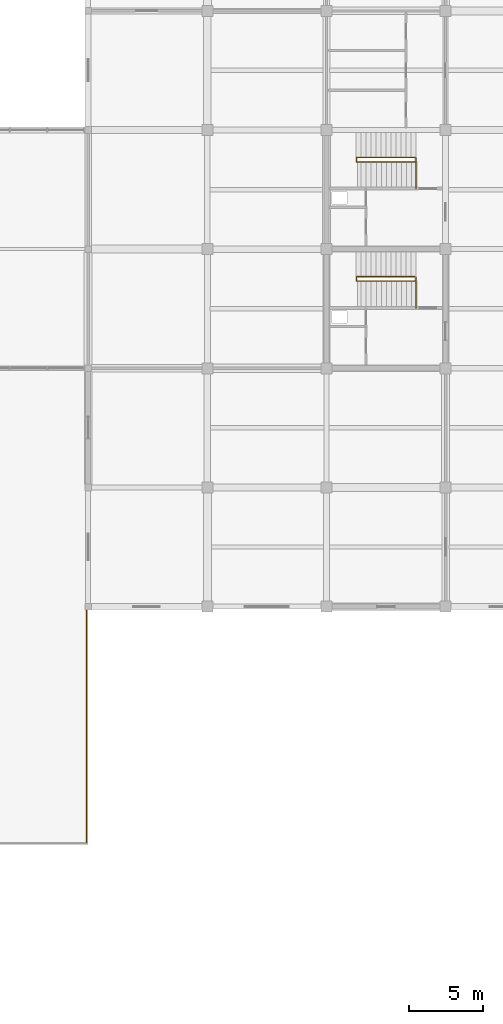
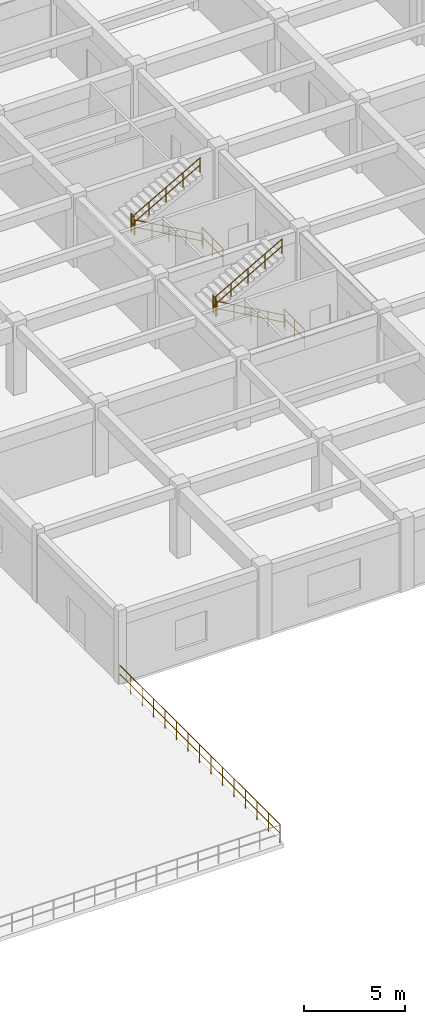
# One storey, part 86 of 89: 9 railings.
"""IFC4 building model written with IfcOpenShell, lengths in metres."""

import ifcopenshell
import ifcopenshell.guid

model = None  # the IFC model being written
_history = None  # IfcOwnerHistory: only IFC2X3 demands one
_inside = {}  # id of a spatial element -> (the spatial element, [elements in it])
_under = {}  # id of a project, library or spatial element -> (it, [spatial elements below it])
_declared = {}  # id of a project -> (the project, [libraries it declares])
_typed = {}  # id of a type object -> (the type object, [elements of that type])
_made_of = {}  # id of a material, layer set ... -> (it, [elements and type objects made of it])


def new_model(schema):
    """Start an empty IFC model of exactly this schema.

    Asked for "IFC4X3", IfcOpenShell would pick the latest addendum, in which some entities
    have other attributes; the version numbers below select the first issue.
    IFC2X3 requires an IfcOwnerHistory on every rooted entity: one is made here for all.
    """
    global model, _history
    if schema == "IFC4X3":
        model = ifcopenshell.file(schema_version=(4, 3, 0, 0))
    else:
        model = ifcopenshell.file(schema=schema)
    _inside.clear()
    _under.clear()
    _declared.clear()
    _typed.clear()
    _made_of.clear()
    _history = None
    if model.schema == "IFC2X3":
        org = make("IfcOrganization", Name="unknown")
        user = make(
            "IfcPersonAndOrganization",
            ThePerson=make("IfcPerson", FamilyName="unknown"),
            TheOrganization=org,
        )
        app = make(
            "IfcApplication",
            ApplicationDeveloper=org,
            Version="unknown",
            ApplicationFullName="unknown",
            ApplicationIdentifier="unknown",
        )
        _history = make(
            "IfcOwnerHistory",
            OwningUser=user,
            OwningApplication=app,
            ChangeAction="ADDED",
            CreationDate=0,
        )
    return model


def make(cls, **values):
    """One entity of the class cls with the attributes given. An attribute that is None is left unset."""
    return model.create_entity(
        cls, **{name: value for name, value in values.items() if value is not None}
    )


def rooted(cls, **values):
    """An entity with a GlobalId (a new one), such as an element, a storey or a relation."""
    return make(cls, GlobalId=ifcopenshell.guid.new(), OwnerHistory=_history, **values)


def si_unit(unit_type, name, prefix=None):
    """IfcSIUnit, for example si_unit("LENGTHUNIT", "METRE", prefix="MILLI")."""
    return make("IfcSIUnit", UnitType=unit_type, Prefix=prefix, Name=name)


def assignment(units):
    """IfcUnitAssignment: the units of a project."""
    return None if units is None else make("IfcUnitAssignment", Units=units)


def point(xyz):
    """IfcCartesianPoint."""
    return None if xyz is None else make("IfcCartesianPoint", Coordinates=xyz)


def direction(xyz):
    """IfcDirection."""
    return None if xyz is None else make("IfcDirection", DirectionRatios=xyz)


def frame(location, z_axis=None, x_axis=None):
    """IfcAxis2Placement3D, a coordinate frame: its origin and axes. An axis left out is left unset."""
    return make(
        "IfcAxis2Placement3D",
        Location=point(location),
        Axis=direction(z_axis),
        RefDirection=direction(x_axis),
    )


def frame_2d(location, x_axis=None):
    """IfcAxis2Placement2D, a coordinate frame in the plane: its origin and x axis."""
    return make(
        "IfcAxis2Placement2D", Location=point(location), RefDirection=direction(x_axis)
    )


def origin():
    """The frame at (0, 0, 0) with its axes left unset."""
    return frame((0.0, 0.0, 0.0))


def origin_2d():
    """The frame at (0, 0) in the plane with its x axis left unset."""
    return frame_2d((0.0, 0.0))


def place(relative_to, where):
    """IfcLocalPlacement: puts the frame where relative to a parent placement (None: the world)."""
    return make(
        "IfcLocalPlacement", PlacementRelTo=relative_to, RelativePlacement=where
    )


def context(
    kind, dimensions, precision=None, world=None, true_north=None, identifier=None
):
    """IfcGeometricRepresentationContext, for example the 3D "Model" context."""
    return make(
        "IfcGeometricRepresentationContext",
        ContextIdentifier=identifier,
        ContextType=kind,
        CoordinateSpaceDimension=dimensions,
        Precision=precision,
        WorldCoordinateSystem=world,
        TrueNorth=true_north,
    )


def subcontext(parent, identifier, kind, view, scale=None):
    """IfcGeometricRepresentationSubContext, for example "Body" below "Model"."""
    return make(
        "IfcGeometricRepresentationSubContext",
        ContextIdentifier=identifier,
        ContextType=kind,
        ParentContext=parent,
        TargetScale=scale,
        TargetView=view,
    )


def project(units=None, contexts=None):
    """IfcProject with its units and contexts."""
    return rooted(
        "IfcProject",
        Name="project",
        RepresentationContexts=contexts,
        UnitsInContext=assignment(units),
    )


def spatial(cls, under=None, at=None, **own):
    """A site, building, storey or space (cls), placed at a placement, below another one or the project."""
    s = rooted(cls, ObjectPlacement=at, **own)
    if under is not None:
        _under.setdefault(under.id(), (under, []))[1].append(s)
    return s


def profile(cls, at=None, kind="AREA", **sizes):
    """A parametric profile (cls). Its sizes go by their IFC names, for example OverallWidth=200.0."""
    return make(cls, ProfileType=kind, Position=at, **sizes)


def circle(**sizes):
    """IfcCircleProfileDef."""
    return profile("IfcCircleProfileDef", **sizes)


def extrude(swept, where, along, depth):
    """IfcExtrudedAreaSolid: the profile swept, set in the frame where, extruded along a direction by depth."""
    return make(
        "IfcExtrudedAreaSolid",
        SweptArea=swept,
        Position=where,
        ExtrudedDirection=direction(along),
        Depth=depth,
    )


def shape(context_of_items, identifier, shape_type, items):
    """IfcShapeRepresentation: the items that make up one representation, for example the "Body"."""
    return make(
        "IfcShapeRepresentation",
        ContextOfItems=context_of_items,
        RepresentationIdentifier=identifier,
        RepresentationType=shape_type,
        Items=items,
    )


def material(Name=None, Category=None):
    """IfcMaterial."""
    return make("IfcMaterial", Name=Name, Category=Category)


def made_of(thing, what):
    """Note that an element or type object is made of a material, layer set ...; save() writes the relation."""
    if what is not None:
        _made_of.setdefault(what.id(), (what, []))[1].append(thing)
    return thing


def type_object(cls, material=None, **own):
    """A type object (cls), such as IfcWallType, which elements share."""
    return made_of(rooted(cls, **own), material)


def element(
    cls,
    number,
    at=None,
    inside=None,
    cuts=None,
    type_object=None,
    material=None,
    context=None,
    identifier="Body",
    shape_type=None,
    held_by="IfcProductDefinitionShape",
    body=None,
    shapes=None,
    **own,
):
    """One element of the class cls, such as IfcWall. Its Tag is "e" and its number.

    at: its placement. inside: the storey or other place that contains it. cuts: it is an
    opening in that element (IfcRelVoidsElement). A single representation is given by context,
    identifier, shape_type and body (its items); several are given by shapes. held_by: the class
    of the entity that holds the representations. save() writes the other relations.
    """
    e = rooted(cls, Tag="e%d" % number, ObjectPlacement=at, **own)
    if body is not None:
        shapes = [shape(context, identifier, shape_type, body)]
    if shapes is not None:
        e.Representation = make(held_by, Representations=shapes)
    if inside is not None:
        _inside.setdefault(inside.id(), (inside, []))[1].append(e)
    if cuts is not None:
        rooted(
            "IfcRelVoidsElement", RelatingBuildingElement=cuts, RelatedOpeningElement=e
        )
    if type_object is not None:
        _typed.setdefault(type_object.id(), (type_object, []))[1].append(e)
    return made_of(e, material)


def aggregate(whole, parts):
    """IfcRelAggregates: a whole, such as a stair, and the parts it consists of."""
    return rooted("IfcRelAggregates", RelatingObject=whole, RelatedObjects=parts)


def save(model, path):
    """Write the relations noted so far, then the file.

    IfcRelAggregates (storeys below a building ...), IfcRelContainedInSpatialStructure (elements
    in a storey), IfcRelDefinesByType, IfcRelAssociatesMaterial and IfcRelDeclares: one each for
    every whole, place, type object, material and project.
    """
    for whole, parts in _under.values():
        aggregate(whole, parts)
    for where, things in _inside.values():
        rooted(
            "IfcRelContainedInSpatialStructure",
            RelatedElements=things,
            RelatingStructure=where,
        )
    for kind, things in _typed.values():
        rooted("IfcRelDefinesByType", RelatedObjects=things, RelatingType=kind)
    for what, things in _made_of.values():
        rooted("IfcRelAssociatesMaterial", RelatedObjects=things, RelatingMaterial=what)
    for by, libraries in _declared.values():
        rooted("IfcRelDeclares", RelatingContext=by, RelatedDefinitions=libraries)
    model.write(path)


model = new_model("IFC4")

# Units and contexts
model_context = context("Model", 3, precision=1e-05, world=origin(), true_north=direction((0.0, 1.0)))
body_context = subcontext(model_context, "Body", "Model", "MODEL_VIEW")
ifc_project = project(units=[si_unit("LENGTHUNIT", "METRE"), si_unit("AREAUNIT", "SQUARE_METRE"), si_unit("VOLUMEUNIT", "CUBIC_METRE"), si_unit("PLANEANGLEUNIT", "RADIAN"), si_unit("MASSUNIT", "GRAM", prefix="KILO")], contexts=[model_context])

# Site, building, storey
site_placement = place(None, origin())
site = spatial("IfcSite", under=ifc_project, at=site_placement, CompositionType="ELEMENT")
building_placement = place(site_placement, origin())
building = spatial("IfcBuilding", under=site, at=building_placement, Name="Vaudrelin Polytechnic", CompositionType="ELEMENT")
storey_placement = place(building_placement, frame((0.0, 0.0, 9.68994140625)))
storey = spatial("IfcBuildingStorey", under=building, at=storey_placement, Name="L02", CompositionType="ELEMENT", Elevation=9.68994140625)

# Railings
ifc_material_1 = material(Name="Stainless steel AISI 316L", Category="steel")
railing_type_1 = type_object("IfcRailingType", Name="ENV-GR-TER", PredefinedType="GUARDRAIL", material=ifc_material_1)
railing_1_placement = place(storey_placement, frame((129.47998046875, 0.159912109375, 0.0)))
element("IfcRailing", 1, at=railing_1_placement, inside=storey, type_object=railing_type_1, Name="Terrace guardrail GRD-RG-E", PredefinedType="GUARDRAIL", context=body_context, shape_type="SweptSolid", body=[
    extrude(circle(Radius=0.02392578125, at=origin_2d()), frame((0.0, 0.023193359375, 1.09619140625), z_axis=(0.0, 1.0, 0.0), x_axis=(-1.0, 0.0, 0.0)), (0.0, 0.0, 1.0), 15.8740234375),
    extrude(circle(Radius=0.02392578125, at=origin_2d()), frame((0.0, 0.023193359375, 0.56005859375), z_axis=(0.0, 1.0, 0.0), x_axis=(-1.0, 0.0, 0.0)), (0.0, 0.0, 1.0), 15.8740234375),
    extrude(circle(Radius=0.02099609375, at=origin_2d()), origin(), (0.0, 0.0, 1.0), 1.1201171875),
    extrude(circle(Radius=0.02099609375, at=origin_2d()), frame((0.0, 1.13720703125, 0.0)), (0.0, 0.0, 1.0), 1.1201171875),
    extrude(circle(Radius=0.02099609375, at=origin_2d()), frame((0.0, 2.2744140625, 0.0)), (0.0, 0.0, 1.0), 1.1201171875),
    extrude(circle(Radius=0.02099609375, at=origin_2d()), frame((0.0, 3.411376953125, 0.0)), (0.0, 0.0, 1.0), 1.1201171875),
    extrude(circle(Radius=0.02099609375, at=origin_2d()), frame((0.0, 4.548583984375, 0.0)), (0.0, 0.0, 1.0), 1.1201171875),
    extrude(circle(Radius=0.02099609375, at=origin_2d()), frame((0.0, 5.685791015625, 0.0)), (0.0, 0.0, 1.0), 1.1201171875),
    extrude(circle(Radius=0.02099609375, at=origin_2d()), frame((0.0, 6.822998046875, 0.0)), (0.0, 0.0, 1.0), 1.1201171875),
    extrude(circle(Radius=0.02099609375, at=origin_2d()), frame((0.0, 7.9599609375, 0.0)), (0.0, 0.0, 1.0), 1.1201171875),
    extrude(circle(Radius=0.02099609375, at=origin_2d()), frame((0.0, 9.09716796875, 0.0)), (0.0, 0.0, 1.0), 1.1201171875),
    extrude(circle(Radius=0.02099609375, at=origin_2d()), frame((0.0, 10.234375, 0.0)), (0.0, 0.0, 1.0), 1.1201171875),
    extrude(circle(Radius=0.02099609375, at=origin_2d()), frame((0.0, 11.37158203125, 0.0)), (0.0, 0.0, 1.0), 1.1201171875),
    extrude(circle(Radius=0.02099609375, at=origin_2d()), frame((0.0, 12.5087890625, 0.0)), (0.0, 0.0, 1.0), 1.1201171875),
    extrude(circle(Radius=0.02099609375, at=origin_2d()), frame((0.0, 13.645751953125, 0.0)), (0.0, 0.0, 1.0), 1.1201171875),
    extrude(circle(Radius=0.02099609375, at=origin_2d()), frame((0.0, 14.782958984375, 0.0)), (0.0, 0.0, 1.0), 1.1201171875),
    extrude(circle(Radius=0.02099609375, at=origin_2d()), frame((0.0, 15.920166015625, 0.0)), (0.0, 0.0, 1.0), 1.1201171875),
])
ifc_material_2 = material(Name="Brushed stainless steel AISI 304", Category="steel")
railing_type_2 = type_object("IfcRailingType", Name="RAL-GR-INT", PredefinedType="GUARDRAIL", material=ifc_material_2)
railing_2_placement = place(storey_placement, frame((151.8798828125, 36.510009765625, 0.0)))
element("IfcRailing", 2, at=railing_2_placement, inside=storey, type_object=railing_type_2, Name="ST-08-L01 upper well guardrail", PredefinedType="GUARDRAIL", context=body_context, shape_type="SweptSolid", body=[
    extrude(circle(Radius=0.02392578125, at=origin_2d()), frame((0.0, 0.023193359375, 1.09619140625), z_axis=(0.0, 1.0, 0.0), x_axis=(-1.0, 0.0, 0.0)), (0.0, 0.0, 1.0), 2.02392578125),
    extrude(circle(Radius=0.02392578125, at=origin_2d()), frame((0.0, 0.023193359375, 0.56005859375), z_axis=(0.0, 1.0, 0.0), x_axis=(-1.0, 0.0, 0.0)), (0.0, 0.0, 1.0), 2.02392578125),
    extrude(circle(Radius=0.02099609375, at=origin_2d()), origin(), (0.0, 0.0, 1.0), 1.1201171875),
    extrude(circle(Radius=0.02099609375, at=origin_2d()), frame((0.0, 1.03515625, 0.0)), (0.0, 0.0, 1.0), 1.1201171875),
    extrude(circle(Radius=0.02099609375, at=origin_2d()), frame((0.0, 2.070068359375, 0.0)), (0.0, 0.0, 1.0), 1.1201171875),
])
railing_3_placement = place(storey_placement, frame((147.85009765625, 38.340087890625, 2.2099609375)))
element("IfcRailing", 3, at=railing_3_placement, inside=storey, type_object=railing_type_2, Name="ST-08-L02 landing well guardrail", PredefinedType="GUARDRAIL", context=body_context, shape_type="SweptSolid", body=[
    extrude(circle(Radius=0.02392578125, at=origin_2d()), frame((0.0, 0.023193359375, 1.09619140625), z_axis=(0.0, 1.0, 0.0), x_axis=(-1.0, 0.0, 0.0)), (0.0, 0.0, 1.0), 0.23388671875),
    extrude(circle(Radius=0.02392578125, at=origin_2d()), frame((0.0, 0.023193359375, 0.56005859375), z_axis=(0.0, 1.0, 0.0), x_axis=(-1.0, 0.0, 0.0)), (0.0, 0.0, 1.0), 0.23388671875),
    extrude(circle(Radius=0.02099609375, at=origin_2d()), origin(), (0.0, 0.0, 1.0), 1.1201171875),
    extrude(circle(Radius=0.02099609375, at=origin_2d()), frame((0.0, 0.280029296875, 0.0)), (0.0, 0.0, 1.0), 1.1201171875),
])
railing_4_placement = place(storey_placement, frame((151.8798828125, 44.610107421875, 0.0)))
element("IfcRailing", 4, at=railing_4_placement, inside=storey, type_object=railing_type_2, Name="ST-12-L01 upper well guardrail", PredefinedType="GUARDRAIL", context=body_context, shape_type="SweptSolid", body=[
    extrude(circle(Radius=0.02392578125, at=origin_2d()), frame((0.0, 0.023193359375, 1.09619140625), z_axis=(0.0, 1.0, 0.0), x_axis=(-1.0, 0.0, 0.0)), (0.0, 0.0, 1.0), 2.023681640625),
    extrude(circle(Radius=0.02392578125, at=origin_2d()), frame((0.0, 0.023193359375, 0.56005859375), z_axis=(0.0, 1.0, 0.0), x_axis=(-1.0, 0.0, 0.0)), (0.0, 0.0, 1.0), 2.023681640625),
    extrude(circle(Radius=0.02099609375, at=origin_2d()), origin(), (0.0, 0.0, 1.0), 1.1201171875),
    extrude(circle(Radius=0.02099609375, at=origin_2d()), frame((0.0, 1.034912109375, 0.0)), (0.0, 0.0, 1.0), 1.1201171875),
    extrude(circle(Radius=0.02099609375, at=origin_2d()), frame((0.0, 2.06982421875, 0.0)), (0.0, 0.0, 1.0), 1.1201171875),
])
railing_5_placement = place(storey_placement, frame((147.85009765625, 46.43994140625, 2.2099609375)))
element("IfcRailing", 5, at=railing_5_placement, inside=storey, type_object=railing_type_2, Name="ST-12-L02 landing well guardrail", PredefinedType="GUARDRAIL", context=body_context, shape_type="SweptSolid", body=[
    extrude(circle(Radius=0.02392578125, at=origin_2d()), frame((0.0, 0.023193359375, 1.09619140625), z_axis=(0.0, 1.0, 0.0), x_axis=(-1.0, 0.0, 0.0)), (0.0, 0.0, 1.0), 0.23388671875),
    extrude(circle(Radius=0.02392578125, at=origin_2d()), frame((0.0, 0.023193359375, 0.56005859375), z_axis=(0.0, 1.0, 0.0), x_axis=(-1.0, 0.0, 0.0)), (0.0, 0.0, 1.0), 0.23388671875),
    extrude(circle(Radius=0.02099609375, at=origin_2d()), origin(), (0.0, 0.0, 1.0), 1.1201171875),
    extrude(circle(Radius=0.02099609375, at=origin_2d()), frame((0.0, 0.280029296875, 0.0)), (0.0, 0.0, 1.0), 1.1201171875),
])
railing_type_3 = type_object("IfcRailingType", Name="RAL-HR-STR", PredefinedType="HANDRAIL", material=ifc_material_2)
railing_6_placement = place(storey_placement, frame((151.800048828125, 38.330078125, 0.0)))
element("IfcRailing", 6, at=railing_6_placement, inside=storey, type_object=railing_type_3, Name="ST-08-L02 flight 1 handrail", PredefinedType="HANDRAIL", context=body_context, shape_type="SweptSolid", body=[
    extrude(circle(Radius=0.02392578125, at=origin_2d()), frame((-0.02001953125, 0.0, 0.9072265625), z_axis=(-0.869489581884, 0.0, 0.493951279981), x_axis=(0.0, -1.0, 0.0)), (0.0, 0.0, 1.0), 4.427734375),
    extrude(circle(Radius=0.02392578125, at=origin_2d()), frame((-0.02001953125, 0.0, 0.471435546875), z_axis=(-0.869489581884, 0.0, 0.493951279981), x_axis=(0.0, -1.0, 0.0)), (0.0, 0.0, 1.0), 4.427734375),
    extrude(circle(Radius=0.02099609375, at=origin_2d()), origin(), (0.0, 0.0, 1.0), 0.919921875),
    extrude(circle(Radius=0.02099609375, at=origin_2d()), frame((-0.97265625, 0.0, 0.552490234375)), (0.0, 0.0, 1.0), 0.919921875),
    extrude(circle(Radius=0.02099609375, at=origin_2d()), frame((-1.945068359375, 0.0, 1.10498046875)), (0.0, 0.0, 1.0), 0.919921875),
    extrude(circle(Radius=0.02099609375, at=origin_2d()), frame((-2.91748046875, 0.0, 1.657470703125)), (0.0, 0.0, 1.0), 0.919921875),
    extrude(circle(Radius=0.02099609375, at=origin_2d()), frame((-3.89013671875, 0.0, 2.2099609375)), (0.0, 0.0, 1.0), 0.919921875),
])
railing_7_placement = place(storey_placement, frame((147.909912109375, 38.6298828125, 2.2099609375)))
element("IfcRailing", 7, at=railing_7_placement, inside=storey, type_object=railing_type_3, Name="ST-08-L02 flight 2 handrail", PredefinedType="HANDRAIL", context=body_context, shape_type="SweptSolid", body=[
    extrude(circle(Radius=0.02392578125, at=origin_2d()), frame((0.02001953125, 0.0, 0.9072265625), z_axis=(0.86946614529, 0.0, 0.493992532529), x_axis=(0.0, 1.0, 0.0)), (0.0, 0.0, 1.0), 4.427978515625),
    extrude(circle(Radius=0.02392578125, at=origin_2d()), frame((0.02001953125, 0.0, 0.471435546875), z_axis=(0.86946614529, 0.0, 0.493992532529), x_axis=(0.0, 1.0, 0.0)), (0.0, 0.0, 1.0), 4.427978515625),
    extrude(circle(Radius=0.02099609375, at=origin_2d()), origin(), (0.0, 0.0, 1.0), 0.919921875),
    extrude(circle(Radius=0.02099609375, at=origin_2d()), frame((0.97265625, 0.0, 0.552490234375)), (0.0, 0.0, 1.0), 0.919921875),
    extrude(circle(Radius=0.02099609375, at=origin_2d()), frame((1.945068359375, 0.0, 1.10498046875)), (0.0, 0.0, 1.0), 0.919921875),
    extrude(circle(Radius=0.02099609375, at=origin_2d()), frame((2.91748046875, 0.0, 1.65771484375)), (0.0, 0.0, 1.0), 0.919921875),
    extrude(circle(Radius=0.02099609375, at=origin_2d()), frame((3.89013671875, 0.0, 2.210205078125)), (0.0, 0.0, 1.0), 0.919921875),
])
railing_8_placement = place(storey_placement, frame((151.800048828125, 46.429931640625, 0.0)))
element("IfcRailing", 8, at=railing_8_placement, inside=storey, type_object=railing_type_3, Name="ST-12-L02 flight 1 handrail", PredefinedType="HANDRAIL", context=body_context, shape_type="SweptSolid", body=[
    extrude(circle(Radius=0.02392578125, at=origin_2d()), frame((-0.02001953125, 0.0, 0.9072265625), z_axis=(-0.869489581884, 0.0, 0.493951279981), x_axis=(0.0, -1.0, 0.0)), (0.0, 0.0, 1.0), 4.427734375),
    extrude(circle(Radius=0.02392578125, at=origin_2d()), frame((-0.02001953125, 0.0, 0.471435546875), z_axis=(-0.869489581884, 0.0, 0.493951279981), x_axis=(0.0, -1.0, 0.0)), (0.0, 0.0, 1.0), 4.427734375),
    extrude(circle(Radius=0.02099609375, at=origin_2d()), origin(), (0.0, 0.0, 1.0), 0.919921875),
    extrude(circle(Radius=0.02099609375, at=origin_2d()), frame((-0.97265625, 0.0, 0.552490234375)), (0.0, 0.0, 1.0), 0.919921875),
    extrude(circle(Radius=0.02099609375, at=origin_2d()), frame((-1.945068359375, 0.0, 1.10498046875)), (0.0, 0.0, 1.0), 0.919921875),
    extrude(circle(Radius=0.02099609375, at=origin_2d()), frame((-2.91748046875, 0.0, 1.657470703125)), (0.0, 0.0, 1.0), 0.919921875),
    extrude(circle(Radius=0.02099609375, at=origin_2d()), frame((-3.89013671875, 0.0, 2.2099609375)), (0.0, 0.0, 1.0), 0.919921875),
])
railing_9_placement = place(storey_placement, frame((147.909912109375, 46.72998046875, 2.2099609375)))
element("IfcRailing", 9, at=railing_9_placement, inside=storey, type_object=railing_type_3, Name="ST-12-L02 flight 2 handrail", PredefinedType="HANDRAIL", context=body_context, shape_type="SweptSolid", body=[
    extrude(circle(Radius=0.02392578125, at=origin_2d()), frame((0.02001953125, 0.0, 0.9072265625), z_axis=(0.86946614529, 0.0, 0.493992532529), x_axis=(0.0, 1.0, 0.0)), (0.0, 0.0, 1.0), 4.427978515625),
    extrude(circle(Radius=0.02392578125, at=origin_2d()), frame((0.02001953125, 0.0, 0.471435546875), z_axis=(0.86946614529, 0.0, 0.493992532529), x_axis=(0.0, 1.0, 0.0)), (0.0, 0.0, 1.0), 4.427978515625),
    extrude(circle(Radius=0.02099609375, at=origin_2d()), origin(), (0.0, 0.0, 1.0), 0.919921875),
    extrude(circle(Radius=0.02099609375, at=origin_2d()), frame((0.97265625, 0.0, 0.552490234375)), (0.0, 0.0, 1.0), 0.919921875),
    extrude(circle(Radius=0.02099609375, at=origin_2d()), frame((1.945068359375, 0.0, 1.10498046875)), (0.0, 0.0, 1.0), 0.919921875),
    extrude(circle(Radius=0.02099609375, at=origin_2d()), frame((2.91748046875, 0.0, 1.65771484375)), (0.0, 0.0, 1.0), 0.919921875),
    extrude(circle(Radius=0.02099609375, at=origin_2d()), frame((3.89013671875, 0.0, 2.210205078125)), (0.0, 0.0, 1.0), 0.919921875),
])

save(model, "model.ifc")
